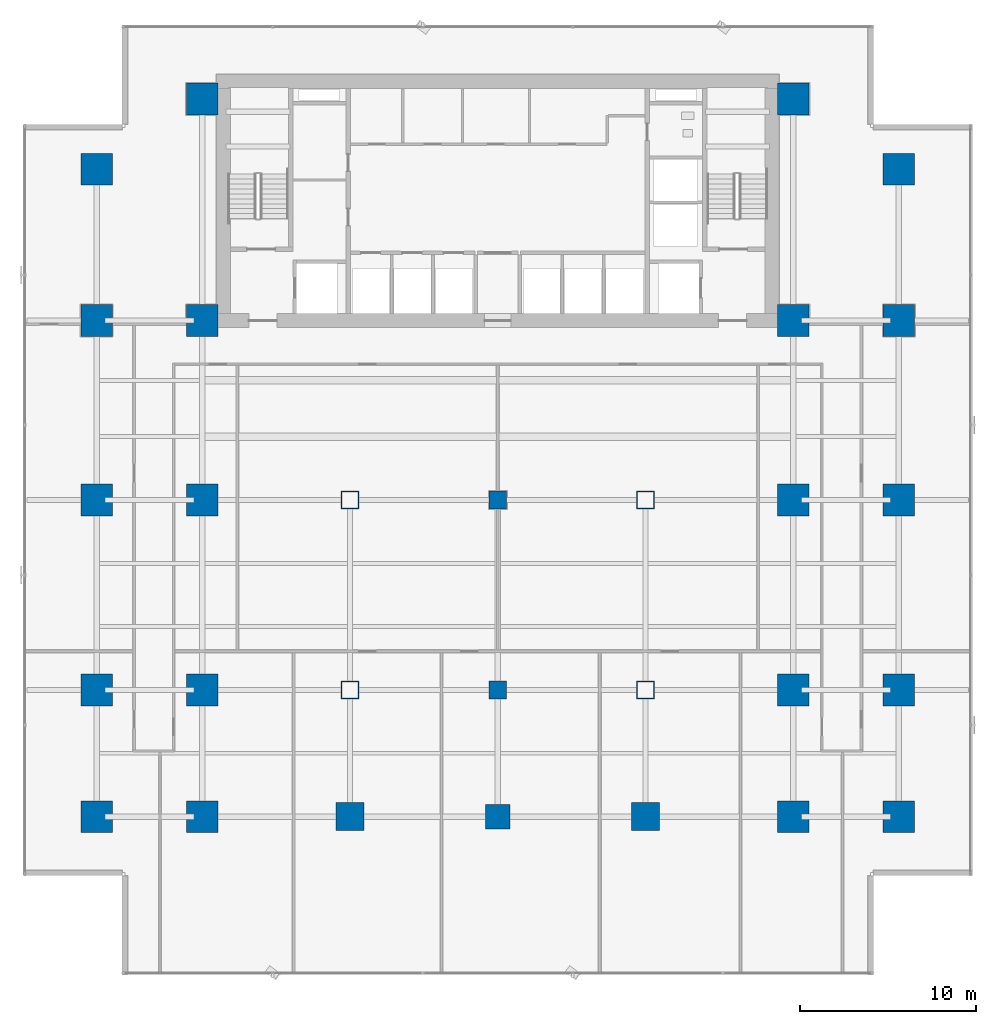
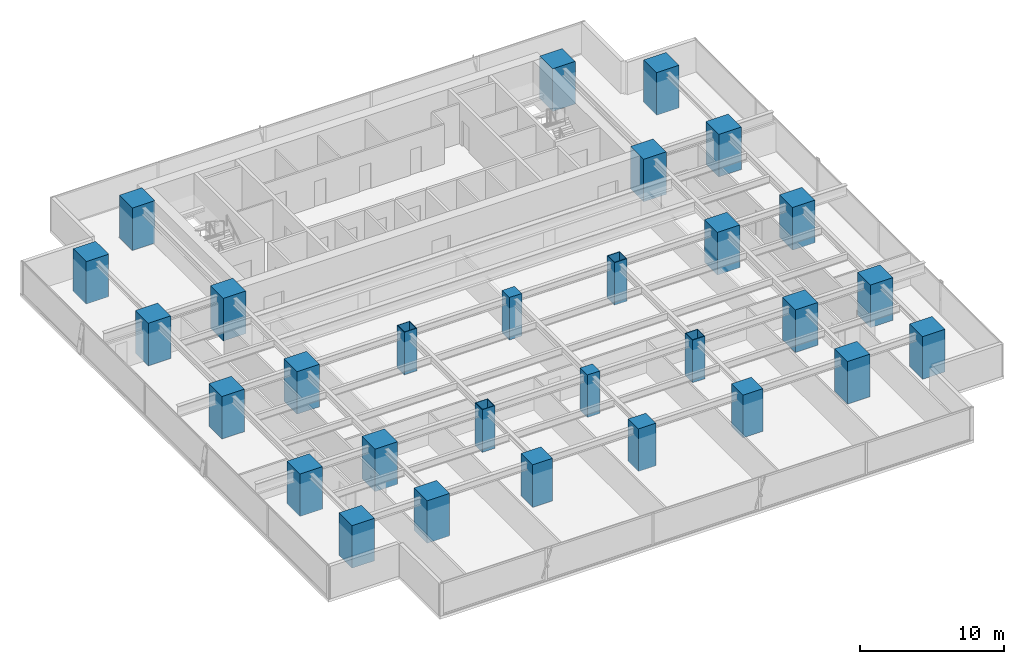
# One storey, part 1 of 33: 29 columns.
"""IFC4 building model written with IfcOpenShell, lengths in metres."""

from ifc_helpers import new_model, si_unit, direction, frame, origin, origin_2d, place, context, subcontext, project, spatial, rectangle, hollow_rectangle, extrude, source, transform, mapped, material, material_profile, profile_set, type_object, element, save


model = new_model("IFC4")

# Units and contexts
model_context = context("Model", 3, precision=1e-05, world=origin(), true_north=direction((0.0, 1.0)))
body_context = subcontext(model_context, "Body", "Model", "MODEL_VIEW")
ifc_project = project(units=[si_unit("LENGTHUNIT", "METRE"), si_unit("AREAUNIT", "SQUARE_METRE"), si_unit("VOLUMEUNIT", "CUBIC_METRE"), si_unit("PLANEANGLEUNIT", "RADIAN"), si_unit("MASSUNIT", "GRAM", prefix="KILO")], contexts=[model_context])

# Site, building, storey
site_placement = place(None, origin())
site = spatial("IfcSite", under=ifc_project, at=site_placement, CompositionType="ELEMENT")
building_placement = place(site_placement, origin())
building = spatial("IfcBuilding", under=site, at=building_placement, Name="Sumidabori Civic Tower", CompositionType="ELEMENT")
storey_placement = place(building_placement, frame((0.0, 0.0, 38.0)))
storey = spatial("IfcBuildingStorey", under=building, at=storey_placement, Name="L09", CompositionType="ELEMENT", Elevation=38.0)

# Columns
ifc_material_1 = material(Name="Concrete C60/75", Category="concrete")
ifc_material_profile_1 = material_profile(ifc_material_1, rectangle(XDim=1.800048828125, YDim=1.800048828125, at=origin_2d()), Name="RC 1800x1800")
ifc_profile_set_1 = profile_set([ifc_material_profile_1], Name="Concrete C60/75")
column_type_1 = type_object("IfcColumnType", Name="CL-MEGA-1800", PredefinedType="COLUMN", material=ifc_profile_set_1)
shared_shape_1 = source(origin(), body_context, "Body", "SweptSolid", [
    extrude(rectangle(XDim=1.800048828125, YDim=1.800048828125, at=origin_2d()), origin(), (0.0, 0.0, 1.0), 3.60009765625),
])
for number, where, z_axis, x_axis, name in (
    (1, (-16.800048828125, -18.0, 0.0), (0.0, 0.0, 1.0), (1.0, 0.0, 0.0), "Column MC-W16-Y18S L09"),
    (2, (-16.800048828125, -10.800048828125, 0.0), (0.0, 0.0, 1.0), (1.0, 0.0, 0.0), "Column MC-W16-Y11S L09"),
    (3, (-16.800048828125, 0.0, 0.0), (0.0, 0.0, 1.0), (1.0, 0.0, 0.0), "Column MC-W16-Y00 L09"),
    (4, (-16.800048828125, 10.199951171875, 0.0), (0.0, 0.0, 1.0), (1.0, 0.0, 0.0), "Column MC-W16-Y10N L09"),
    (5, (-16.800048828125, 22.800048828125, 0.0), (0.0, 0.0, 1.0), (1.0, 0.0, 0.0), "Column MC-W16-Y23N L09"),
    (6, (16.800048828125, -18.0, 0.0), (0.0, 0.0, 1.0), (1.0, 0.0, 0.0), "Column MC-E16-Y18S L09"),
    (7, (16.800048828125, -10.800048828125, 0.0), (0.0, 0.0, 1.0), (1.0, 0.0, 0.0), "Column MC-E16-Y11S L09"),
    (8, (16.800048828125, 0.0, 0.0), (0.0, 0.0, 1.0), (1.0, 0.0, 0.0), "Column MC-E16-Y00 L09"),
    (9, (16.800048828125, 10.199951171875, 0.0), (0.0, 0.0, 1.0), (1.0, 0.0, 0.0), "Column MC-E16-Y10N L09"),
    (10, (16.800048828125, 22.800048828125, 0.0), (0.0, 0.0, 1.0), (1.0, 0.0, 0.0), "Column MC-E16-Y23N L09"),
    (11, (-22.800048828125, -18.0, 0.0), (0.0, 0.0, 1.0), (1.0, 0.0, 0.0), "Column MC-W23-Y18S L09"),
    (12, (-22.800048828125, -10.800048828125, 0.0), (0.0, 0.0, 1.0), (1.0, 0.0, 0.0), "Column MC-W23-Y11S L09"),
    (13, (-22.800048828125, 0.0, 0.0), (0.0, 0.0, 1.0), (1.0, 0.0, 0.0), "Column MC-W23-Y00 L09"),
    (14, (-22.800048828125, 10.199951171875, 0.0), (0.0, 0.0, 1.0), (1.0, 0.0, 0.0), "Column MC-W23-Y10N L09"),
    (15, (-22.800048828125, 18.800048828125, 0.0), (0.0, 0.0, 1.0), (1.0, 0.0, 0.0), "Column MC-W23-Y19N L09"),
    (16, (22.800048828125, -18.0, 0.0), (0.0, 0.0, 1.0), (1.0, 0.0, 0.0), "Column MC-E23-Y18S L09"),
    (17, (22.800048828125, -10.800048828125, 0.0), (0.0, 0.0, 1.0), (1.0, 0.0, 0.0), "Column MC-E23-Y11S L09"),
    (18, (22.800048828125, 0.0, 0.0), (0.0, 0.0, 1.0), (1.0, 0.0, 0.0), "Column MC-E23-Y00 L09"),
    (19, (22.800048828125, 10.199951171875, 0.0), (0.0, 0.0, 1.0), (1.0, 0.0, 0.0), "Column MC-E23-Y10N L09"),
    (20, (22.800048828125, 18.800048828125, 0.0), (0.0, 0.0, 1.0), (1.0, 0.0, 0.0), "Column MC-E23-Y19N L09"),
):
    element("IfcColumn", number, at=place(storey_placement, frame(where, z_axis=z_axis, x_axis=x_axis)), inside=storey, type_object=column_type_1, Name=name, PredefinedType="COLUMN", context=body_context, shape_type="MappedRepresentation", body=[
        mapped(shared_shape_1, transform((0.0, 0.0, 0.0), x_axis=(1.0, 0.0, 0.0), y_axis=(0.0, 1.0, 0.0), z_axis=(0.0, 0.0, 1.0), scale=1.0)),
    ])
ifc_material_profile_2 = material_profile(ifc_material_1, rectangle(XDim=1.60009765625, YDim=1.60009765625, at=origin_2d()), Name="RC 1600x1600")
ifc_profile_set_2 = profile_set([ifc_material_profile_2], Name="Concrete C60/75")
column_type_2 = type_object("IfcColumnType", Name="CL-MEGA-1600", PredefinedType="COLUMN", material=ifc_profile_set_2)
shared_shape_2 = source(origin(), body_context, "Body", "SweptSolid", [
    extrude(rectangle(XDim=1.60009765625, YDim=1.60009765625, at=origin_2d()), origin(), (0.0, 0.0, 1.0), 3.60009765625),
])
for number, where, z_axis, x_axis, name in (
    (21, (-8.39990234375, -18.0, 0.0), (0.0, 0.0, 1.0), (1.0, 0.0, 0.0), "Column MC-W08-Y18S L09"),
    (22, (8.39990234375, -18.0, 0.0), (0.0, 0.0, 1.0), (1.0, 0.0, 0.0), "Column MC-E08-Y18S L09"),
):
    element("IfcColumn", number, at=place(storey_placement, frame(where, z_axis=z_axis, x_axis=x_axis)), inside=storey, type_object=column_type_2, Name=name, PredefinedType="COLUMN", context=body_context, shape_type="MappedRepresentation", body=[
        mapped(shared_shape_2, transform((0.0, 0.0, 0.0), x_axis=(1.0, 0.0, 0.0), y_axis=(0.0, 1.0, 0.0), z_axis=(0.0, 0.0, 1.0), scale=1.0)),
    ])
ifc_material_2 = material(Name="Steel SM570", Category="steel")
ifc_material_profile_3 = material_profile(ifc_material_2, hollow_rectangle(XDim=1.0, YDim=1.0, WallThickness=0.044921875, at=origin_2d()), Name="SHS 1000x1000x45")
ifc_profile_set_3 = profile_set([ifc_material_profile_3], Name="Steel SM570")
column_type_3 = type_object("IfcColumnType", Name="CL-PORTAL-SHS1000", PredefinedType="COLUMN", material=ifc_profile_set_3)
shared_shape_3 = source(origin(), body_context, "Body", "SweptSolid", [
    extrude(hollow_rectangle(XDim=1.0, YDim=1.0, WallThickness=0.044921875, at=origin_2d()), origin(), (0.0, 0.0, 1.0), 3.60009765625),
])
for number, where, z_axis, x_axis, name in (
    (23, (-8.39990234375, 0.0, 0.0), (0.0, 0.0, 1.0), (1.0, 0.0, 0.0), "Column MC-W08-Y00 L09"),
    (24, (-8.39990234375, -10.800048828125, 0.0), (0.0, 0.0, 1.0), (1.0, 0.0, 0.0), "Column MC-W08-Y11S L09"),
    (25, (8.39990234375, 0.0, 0.0), (0.0, 0.0, 1.0), (1.0, 0.0, 0.0), "Column MC-E08-Y00 L09"),
    (26, (8.39990234375, -10.800048828125, 0.0), (0.0, 0.0, 1.0), (1.0, 0.0, 0.0), "Column MC-E08-Y11S L09"),
):
    element("IfcColumn", number, at=place(storey_placement, frame(where, z_axis=z_axis, x_axis=x_axis)), inside=storey, type_object=column_type_3, Name=name, PredefinedType="COLUMN", context=body_context, shape_type="MappedRepresentation", body=[
        mapped(shared_shape_3, transform((0.0, 0.0, 0.0), x_axis=(1.0, 0.0, 0.0), y_axis=(0.0, 1.0, 0.0), z_axis=(0.0, 0.0, 1.0), scale=1.0)),
    ])
ifc_material_profile_4 = material_profile(ifc_material_1, rectangle(XDim=1.39990234375, YDim=1.39990234375, at=origin_2d()), Name="RC 1400x1400")
ifc_profile_set_4 = profile_set([ifc_material_profile_4], Name="Concrete C60/75")
column_type_4 = type_object("IfcColumnType", Name="CL-MEGA-1400", PredefinedType="COLUMN", material=ifc_profile_set_4)
shared_shape_4 = source(origin(), body_context, "Body", "SweptSolid", [
    extrude(rectangle(XDim=1.39990234375, YDim=1.39990234375, at=origin_2d()), origin(), (0.0, 0.0, 1.0), 3.60009765625),
])
column_placement = place(storey_placement, frame((0.0, -18.0, 0.0), z_axis=(0.0, 0.0, 1.0), x_axis=(1.0, 0.0, 0.0)))
element("IfcColumn", 27, at=column_placement, inside=storey, type_object=column_type_4, Name="Column MC-C00-Y18S L09", PredefinedType="COLUMN", context=body_context, shape_type="MappedRepresentation", body=[
    mapped(shared_shape_4, transform((0.0, 0.0, 0.0), x_axis=(1.0, 0.0, 0.0), y_axis=(0.0, 1.0, 0.0), z_axis=(0.0, 0.0, 1.0), scale=1.0)),
])
ifc_material_3 = material(Name="Concrete C50/60", Category="concrete")
ifc_material_profile_5 = material_profile(ifc_material_3, rectangle(XDim=1.0, YDim=1.0, at=origin_2d()), Name="RC 1000x1000")
ifc_profile_set_5 = profile_set([ifc_material_profile_5], Name="Concrete C50/60")
column_type_5 = type_object("IfcColumnType", Name="CL-INT-1000", PredefinedType="COLUMN", material=ifc_profile_set_5)
shared_shape_5 = source(origin(), body_context, "Body", "SweptSolid", [
    extrude(rectangle(XDim=1.0, YDim=1.0, at=origin_2d()), origin(), (0.0, 0.0, 1.0), 3.60009765625),
])
for number, where, z_axis, x_axis, name in (
    (28, (0.0, -10.800048828125, 0.0), (0.0, 0.0, 1.0), (1.0, 0.0, 0.0), "Column MC-C00-Y11S L09"),
    (29, (0.0, 0.0, 0.0), (0.0, 0.0, 1.0), (1.0, 0.0, 0.0), "Column MC-C00-Y00 L09"),
):
    element("IfcColumn", number, at=place(storey_placement, frame(where, z_axis=z_axis, x_axis=x_axis)), inside=storey, type_object=column_type_5, Name=name, PredefinedType="COLUMN", context=body_context, shape_type="MappedRepresentation", body=[
        mapped(shared_shape_5, transform((0.0, 0.0, 0.0), x_axis=(1.0, 0.0, 0.0), y_axis=(0.0, 1.0, 0.0), z_axis=(0.0, 0.0, 1.0), scale=1.0)),
    ])

save(model, "model.ifc")
